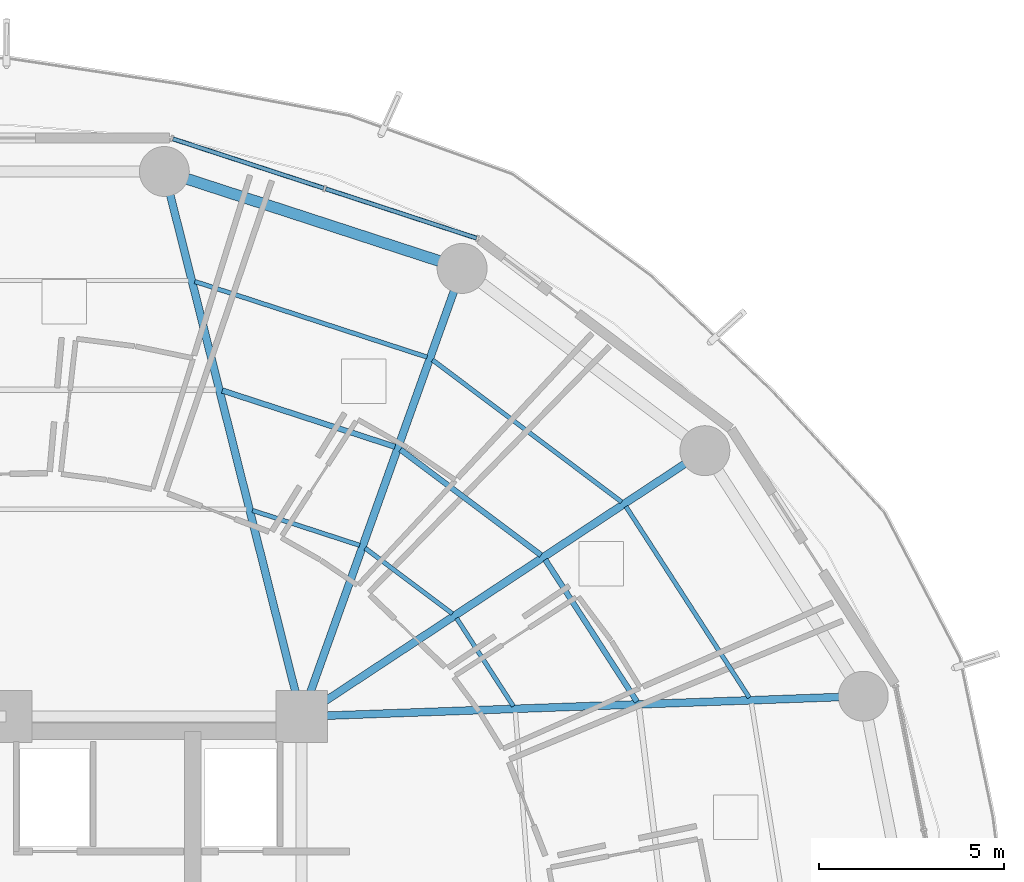
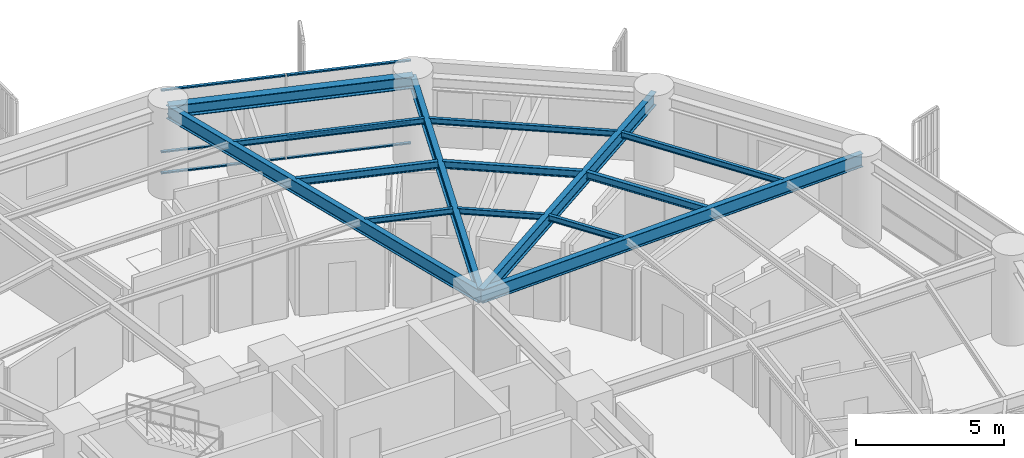
# One storey, part 23 of 35: 14 beams, 6 members, 1 element without a shape of its own.
"""IFC4 building model written with IfcOpenShell, lengths in metres."""

from ifc_helpers import new_model, si_unit, direction, frame, origin, origin_2d, place, context, subcontext, project, spatial, hollow_rectangle, i_section, extrude, material, layer, layer_set, material_profile, profile_set, type_object, element, aggregate, save


model = new_model("IFC4")

# Units and contexts
model_context = context("Model", 3, precision=1e-05, world=origin(), true_north=direction((0.0, 1.0)))
body_context = subcontext(model_context, "Body", "Model", "MODEL_VIEW")
ifc_project = project(units=[si_unit("LENGTHUNIT", "METRE"), si_unit("AREAUNIT", "SQUARE_METRE"), si_unit("VOLUMEUNIT", "CUBIC_METRE"), si_unit("PLANEANGLEUNIT", "RADIAN"), si_unit("MASSUNIT", "GRAM", prefix="KILO")], contexts=[model_context])

# Site, building, storey
site_placement = place(None, origin())
site = spatial("IfcSite", under=ifc_project, at=site_placement, CompositionType="ELEMENT")
building_placement = place(site_placement, origin())
building = spatial("IfcBuilding", under=site, at=building_placement, Name="Kelanora Arch Commons", CompositionType="ELEMENT")
storey_placement = place(building_placement, frame((0.0, 0.0, 91.35009765625)))
storey = spatial("IfcBuildingStorey", under=building, at=storey_placement, Name="L23", CompositionType="ELEMENT", Elevation=91.35009765625)

# Beams
ifc_material_1 = material(Name="Steel S355", Category="steel")
ifc_material_profile_1 = material_profile(ifc_material_1, i_section(OverallWidth=0.14990234375, OverallDepth=0.300048828125, WebThickness=0.007080078125, FlangeThickness=0.0107421875, FilletRadius=0.014892578125, at=origin_2d()), Name="IPE300")
ifc_profile_set_1 = profile_set([ifc_material_profile_1], Name="Steel S355")
beam_type_1 = type_object("IfcBeamType", Name="BM-JST-01", PredefinedType="JOIST", material=ifc_profile_set_1)
beam_1_placement = place(storey_placement, frame((91.06884765625, 65.402587890625, 3.33984375), z_axis=(-0.542230243286, 0.840229946661, 0.0), x_axis=(-0.840229946661, -0.542230243286, 0.0)))
element("IfcBeam", 1, at=beam_1_placement, inside=storey, type_object=beam_type_1, Name="Secondary Chord Joist BJB-02 L23", PredefinedType="JOIST", context=body_context, shape_type="SweptSolid", body=[
    extrude(i_section(OverallWidth=0.14990234375, OverallDepth=0.300048828125, WebThickness=0.007080078125, FlangeThickness=0.0107421875, FilletRadius=0.014892578125, at=origin_2d()), origin(), (0.0, 0.0, 1.0), 4.572265625),
])
beam_2_placement = place(storey_placement, frame((88.4755859375, 69.36669921875, 3.33984375), z_axis=(-0.79971039107, 0.600385951214, 0.0), x_axis=(-0.600385951214, -0.79971039107, 0.0)))
element("IfcBeam", 2, at=beam_2_placement, inside=storey, type_object=beam_type_1, Name="Secondary Chord Joist BJB-04 L23", PredefinedType="JOIST", context=body_context, shape_type="SweptSolid", body=[
    extrude(i_section(OverallWidth=0.14990234375, OverallDepth=0.300048828125, WebThickness=0.007080078125, FlangeThickness=0.0107421875, FilletRadius=0.014892578125, at=origin_2d()), origin(), (0.0, 0.0, 1.0), 4.756103515625),
])
beam_3_placement = place(storey_placement, frame((84.523193359375, 72.29931640625, 3.33984375), z_axis=(-0.950857140254, 0.309629938521, 0.0), x_axis=(-0.309629938521, -0.950857140254, 0.0)))
element("IfcBeam", 3, at=beam_3_placement, inside=storey, type_object=beam_type_1, Name="Secondary Chord Joist BJB-06 L23", PredefinedType="JOIST", context=body_context, shape_type="SweptSolid", body=[
    extrude(i_section(OverallWidth=0.14990234375, OverallDepth=0.300048828125, WebThickness=0.007080078125, FlangeThickness=0.0107421875, FilletRadius=0.014892578125, at=origin_2d()), origin(), (0.0, 0.0, 1.0), 4.912353515625),
])
ifc_material_profile_2 = material_profile(ifc_material_1, i_section(OverallWidth=0.1201171875, OverallDepth=0.239990234375, WebThickness=0.006103515625, FlangeThickness=0.009765625, FilletRadius=0.014892578125, at=origin_2d()), Name="IPE240")
ifc_profile_set_2 = profile_set([ifc_material_profile_2], Name="Steel S355")
beam_type_2 = type_object("IfcBeamType", Name="BM-JST-02", PredefinedType="JOIST", material=ifc_profile_set_2)
beam_4_placement = place(storey_placement, frame((87.726806640625, 65.281005859375, 3.369873046875), z_axis=(-0.542211255502, 0.840242199849, 0.0), x_axis=(-0.840242199849, -0.542211255502, 0.0)))
element("IfcBeam", 4, at=beam_4_placement, inside=storey, type_object=beam_type_2, Name="Secondary Chord Joist BJA-02 L23", PredefinedType="JOIST", context=body_context, shape_type="SweptSolid", body=[
    extrude(i_section(OverallWidth=0.1201171875, OverallDepth=0.239990234375, WebThickness=0.006103515625, FlangeThickness=0.009765625, FilletRadius=0.014892578125, at=origin_2d()), origin(), (0.0, 0.0, 1.0), 2.83349609375),
])
beam_5_placement = place(storey_placement, frame((94.107177734375, 65.512939453125, 3.369873046875), z_axis=(-0.542212726273, 0.840241250754, 0.0), x_axis=(-0.840241250754, -0.542212726273, 0.0)))
element("IfcBeam", 5, at=beam_5_placement, inside=storey, type_object=beam_type_2, Name="Secondary Chord Joist BJC-02 L23", PredefinedType="JOIST", context=body_context, shape_type="SweptSolid", body=[
    extrude(i_section(OverallWidth=0.1201171875, OverallDepth=0.239990234375, WebThickness=0.006103515625, FlangeThickness=0.009765625, FilletRadius=0.014892578125, at=origin_2d()), origin(), (0.0, 0.0, 1.0), 6.15283203125),
])
beam_6_placement = place(storey_placement, frame((86.076416015625, 67.7841796875, 3.369873046875), z_axis=(-0.799692034361, 0.600410401458, 0.0), x_axis=(-0.600410401458, -0.799692034361, 0.0)))
element("IfcBeam", 6, at=beam_6_placement, inside=storey, type_object=beam_type_2, Name="Secondary Chord Joist BJA-04 L23", PredefinedType="JOIST", context=body_context, shape_type="SweptSolid", body=[
    extrude(i_section(OverallWidth=0.1201171875, OverallDepth=0.239990234375, WebThickness=0.006103515625, FlangeThickness=0.009765625, FilletRadius=0.014892578125, at=origin_2d()), origin(), (0.0, 0.0, 1.0), 2.949951171875),
])
beam_7_placement = place(storey_placement, frame((90.65673828125, 70.805419921875, 3.369873046875), z_axis=(-0.799734335646, 0.600354055861, 0.0), x_axis=(-0.600354055861, -0.799734335646, 0.0)))
element("IfcBeam", 7, at=beam_7_placement, inside=storey, type_object=beam_type_2, Name="Secondary Chord Joist BJC-04 L23", PredefinedType="JOIST", context=body_context, shape_type="SweptSolid", body=[
    extrude(i_section(OverallWidth=0.1201171875, OverallDepth=0.239990234375, WebThickness=0.006103515625, FlangeThickness=0.009765625, FilletRadius=0.014892578125, at=origin_2d()), origin(), (0.0, 0.0, 1.0), 6.39794921875),
])
beam_8_placement = place(storey_placement, frame((83.568359375, 69.632568359375, 3.369873046875), z_axis=(-0.950846758946, 0.309661817151, 0.0), x_axis=(-0.309661817151, -0.950846758946, 0.0)))
element("IfcBeam", 8, at=beam_8_placement, inside=storey, type_object=beam_type_2, Name="Secondary Chord Joist BJA-06 L23", PredefinedType="JOIST", context=body_context, shape_type="SweptSolid", body=[
    extrude(i_section(OverallWidth=0.1201171875, OverallDepth=0.239990234375, WebThickness=0.006103515625, FlangeThickness=0.009765625, FilletRadius=0.014892578125, at=origin_2d()), origin(), (0.0, 0.0, 1.0), 3.048828125),
])
beam_9_placement = place(storey_placement, frame((85.39111328125, 74.723876953125, 3.369873046875), z_axis=(-0.950862829272, 0.309612467301, 0.0), x_axis=(-0.309612467301, -0.950862829272, 0.0)))
element("IfcBeam", 9, at=beam_9_placement, inside=storey, type_object=beam_type_2, Name="Secondary Chord Joist BJC-06 L23", PredefinedType="JOIST", context=body_context, shape_type="SweptSolid", body=[
    extrude(i_section(OverallWidth=0.1201171875, OverallDepth=0.239990234375, WebThickness=0.006103515625, FlangeThickness=0.009765625, FilletRadius=0.014892578125, at=origin_2d()), origin(), (0.0, 0.0, 1.0), 6.6064453125),
])
ifc_material_profile_3 = material_profile(ifc_material_1, i_section(OverallWidth=0.2099609375, OverallDepth=0.550048828125, WebThickness=0.010986328125, FlangeThickness=0.01708984375, FilletRadius=0.02392578125, at=origin_2d()), Name="IPE550")
ifc_profile_set_3 = profile_set([ifc_material_profile_3], Name="Steel S355")
beam_type_3 = type_object("IfcBeamType", Name="BM-RAD-Z2", PredefinedType="BEAM", material=ifc_profile_set_3)
beam_10_placement = place(storey_placement, frame((82.0, 65.0, 3.21484375), z_axis=(0.999341087625, 0.036295875581, 0.0), x_axis=(-0.036295875581, 0.999341087625, 0.0)))
element("IfcBeam", 10, at=beam_10_placement, inside=storey, type_object=beam_type_3, Name="Radial Floor Girder BR-02 L23", PredefinedType="BEAM", context=body_context, shape_type="SweptSolid", body=[
    extrude(i_section(OverallWidth=0.2099609375, OverallDepth=0.550048828125, WebThickness=0.010986328125, FlangeThickness=0.01708984375, FilletRadius=0.02392578125, at=origin_2d()), origin(), (0.0, 0.0, 1.0), 15.20166015625),
])
beam_11_placement = place(storey_placement, frame((82.0, 65.0, 3.21484375), z_axis=(0.834788577908, 0.550570640512, 0.0), x_axis=(-0.550570640512, 0.834788577908, 0.0)))
element("IfcBeam", 11, at=beam_11_placement, inside=storey, type_object=beam_type_3, Name="Radial Floor Girder BR-04 L23", PredefinedType="BEAM", context=body_context, shape_type="SweptSolid", body=[
    extrude(i_section(OverallWidth=0.2099609375, OverallDepth=0.550048828125, WebThickness=0.010986328125, FlangeThickness=0.01708984375, FilletRadius=0.02392578125, at=origin_2d()), origin(), (0.0, 0.0, 1.0), 13.064453125),
])
beam_12_placement = place(storey_placement, frame((82.0, 65.0, 3.21484375), z_axis=(0.337084640008, 0.941474346687, 0.0), x_axis=(-0.941474346687, 0.337084640008, 0.0)))
element("IfcBeam", 12, at=beam_12_placement, inside=storey, type_object=beam_type_3, Name="Radial Floor Girder BR-06 L23", PredefinedType="BEAM", context=body_context, shape_type="SweptSolid", body=[
    extrude(i_section(OverallWidth=0.2099609375, OverallDepth=0.550048828125, WebThickness=0.010986328125, FlangeThickness=0.01708984375, FilletRadius=0.02392578125, at=origin_2d()), origin(), (0.0, 0.0, 1.0), 12.875244140625),
])
beam_13_placement = place(storey_placement, frame((82.0, 65.0, 3.21484375), z_axis=(-0.244280647475, 0.969704576286, 0.0), x_axis=(-0.969704576286, -0.244280647475, 0.0)))
element("IfcBeam", 13, at=beam_13_placement, inside=storey, type_object=beam_type_3, Name="Radial Floor Girder BR-08 L23", PredefinedType="BEAM", context=body_context, shape_type="SweptSolid", body=[
    extrude(i_section(OverallWidth=0.2099609375, OverallDepth=0.550048828125, WebThickness=0.010986328125, FlangeThickness=0.01708984375, FilletRadius=0.02392578125, at=origin_2d()), origin(), (0.0, 0.0, 1.0), 15.205322265625),
])
ifc_material_profile_4 = material_profile(ifc_material_1, i_section(OverallWidth=0.300048828125, OverallDepth=0.5, WebThickness=0.014404296875, FlangeThickness=0.028076171875, FilletRadius=0.027099609375, at=origin_2d()), Name="HEB500")
ifc_profile_set_4 = profile_set([ifc_material_profile_4], Name="Steel S355")
beam_type_4 = type_object("IfcBeamType", Name="BM-SPN-Z2", PredefinedType="SPANDREL", material=ifc_profile_set_4)
beam_14_placement = place(storey_placement, frame((86.340087890625, 77.121826171875, 3.239990234375), z_axis=(-0.950856631974, 0.309631499418, 0.0), x_axis=(-0.309631499418, -0.950856631974, 0.0)))
element("IfcBeam", 14, at=beam_14_placement, inside=storey, type_object=beam_type_4, Name="Perimeter Spandrel Beam BS-06 L23", PredefinedType="SPANDREL", context=body_context, shape_type="SweptSolid", body=[
    extrude(i_section(OverallWidth=0.300048828125, OverallDepth=0.5, WebThickness=0.014404296875, FlangeThickness=0.028076171875, FilletRadius=0.027099609375, at=origin_2d()), origin(), (0.0, 0.0, 1.0), 8.470703125),
])

# Curtain wall, members
ifc_material_2 = material(Name="Terracotta ceramic-fritted low-E glass and aluminium", Category="masonry")
ifc_layer = layer(ifc_material_2, 0.159912109375)
ifc_layer_set = layer_set([ifc_layer], Name="Terracotta ceramic-fritted low-E glass and aluminium")
curtain_wall_type = type_object("IfcCurtainWallType", Name="CW-SYS-01", PredefinedType="NOTDEFINED", material=ifc_layer_set)
curtain_wall_placement = place(storey_placement, origin())
curtain_wall = element("IfcCurtainWall", 15, at=curtain_wall_placement, inside=storey, type_object=curtain_wall_type, Name="Unitised Curtain Wall L23-B03", PredefinedType="NOTDEFINED")
ifc_material_3 = material(Name="Powder-coated aluminium terracotta", Category="masonry")
ifc_material_profile_5 = material_profile(ifc_material_3, hollow_rectangle(XDim=0.1201171875, YDim=0.06005859375, WallThickness=0.0048828125, InnerFilletRadius=0.0048828125, OuterFilletRadius=0.010009765625, at=origin_2d()), Name="CWT120x60")
ifc_profile_set_5 = profile_set([ifc_material_profile_5], Name="Powder-coated aluminium terracotta")
member_type = type_object("IfcMemberType", Name="CWT-STD", PredefinedType="USERDEFINED", material=ifc_profile_set_5)
member_1_placement = place(storey_placement, frame((86.728759765625, 77.94189453125, 0.02978515625), z_axis=(-0.950466230394, 0.310827838008, 0.0), x_axis=(-0.310827838008, -0.950466230394, 0.0)))
member_1 = element("IfcMember", 16, at=member_1_placement, type_object=member_type, Name="CW-01 transom 1.1", ObjectType="TRANSOM", PredefinedType="USERDEFINED", context=body_context, shape_type="SweptSolid", body=[
    extrude(hollow_rectangle(XDim=0.1201171875, YDim=0.06005859375, WallThickness=0.0048828125, InnerFilletRadius=0.0048828125, OuterFilletRadius=0.010009765625, at=origin_2d()), origin(), (0.0, 0.0, 1.0), 4.2900390625),
])
member_2_placement = place(storey_placement, frame((86.728759765625, 77.94189453125, 0.89990234375), z_axis=(-0.950466230394, 0.310827838008, 0.0), x_axis=(-0.310827838008, -0.950466230394, 0.0)))
member_2 = element("IfcMember", 17, at=member_2_placement, type_object=member_type, Name="CW-01 transom 1.2", ObjectType="TRANSOM", PredefinedType="USERDEFINED", context=body_context, shape_type="SweptSolid", body=[
    extrude(hollow_rectangle(XDim=0.1201171875, YDim=0.06005859375, WallThickness=0.0048828125, InnerFilletRadius=0.0048828125, OuterFilletRadius=0.010009765625, at=origin_2d()), origin(), (0.0, 0.0, 1.0), 4.2900390625),
])
member_3_placement = place(storey_placement, frame((86.728759765625, 77.94189453125, 3.44482421875), z_axis=(-0.950466230394, 0.310827838008, 0.0), x_axis=(-0.310827838008, -0.950466230394, 0.0)))
member_3 = element("IfcMember", 18, at=member_3_placement, type_object=member_type, Name="CW-01 transom 1.3", ObjectType="TRANSOM", PredefinedType="USERDEFINED", context=body_context, shape_type="SweptSolid", body=[
    extrude(hollow_rectangle(XDim=0.1201171875, YDim=0.06005859375, WallThickness=0.0048828125, InnerFilletRadius=0.0048828125, OuterFilletRadius=0.010009765625, at=origin_2d()), origin(), (0.0, 0.0, 1.0), 4.2900390625),
])
member_4_placement = place(storey_placement, frame((82.59423828125, 79.2939453125, 0.02978515625), z_axis=(-0.950477544745, 0.31079323824, 0.0), x_axis=(-0.31079323824, -0.950477544745, 0.0)))
member_4 = element("IfcMember", 19, at=member_4_placement, type_object=member_type, Name="CW-01 transom 2.1", ObjectType="TRANSOM", PredefinedType="USERDEFINED", context=body_context, shape_type="SweptSolid", body=[
    extrude(hollow_rectangle(XDim=0.1201171875, YDim=0.06005859375, WallThickness=0.0048828125, InnerFilletRadius=0.0048828125, OuterFilletRadius=0.010009765625, at=origin_2d()), origin(), (0.0, 0.0, 1.0), 4.289794921875),
])
member_5_placement = place(storey_placement, frame((82.59423828125, 79.2939453125, 0.89990234375), z_axis=(-0.950477544745, 0.31079323824, 0.0), x_axis=(-0.31079323824, -0.950477544745, 0.0)))
member_5 = element("IfcMember", 20, at=member_5_placement, type_object=member_type, Name="CW-01 transom 2.2", ObjectType="TRANSOM", PredefinedType="USERDEFINED", context=body_context, shape_type="SweptSolid", body=[
    extrude(hollow_rectangle(XDim=0.1201171875, YDim=0.06005859375, WallThickness=0.0048828125, InnerFilletRadius=0.0048828125, OuterFilletRadius=0.010009765625, at=origin_2d()), origin(), (0.0, 0.0, 1.0), 4.289794921875),
])
member_6_placement = place(storey_placement, frame((82.59423828125, 79.2939453125, 3.44482421875), z_axis=(-0.950477544745, 0.31079323824, 0.0), x_axis=(-0.31079323824, -0.950477544745, 0.0)))
member_6 = element("IfcMember", 21, at=member_6_placement, type_object=member_type, Name="CW-01 transom 2.3", ObjectType="TRANSOM", PredefinedType="USERDEFINED", context=body_context, shape_type="SweptSolid", body=[
    extrude(hollow_rectangle(XDim=0.1201171875, YDim=0.06005859375, WallThickness=0.0048828125, InnerFilletRadius=0.0048828125, OuterFilletRadius=0.010009765625, at=origin_2d()), origin(), (0.0, 0.0, 1.0), 4.289794921875),
])
aggregate(curtain_wall, [member_1, member_2, member_3, member_4, member_5, member_6])

save(model, "model.ifc")
